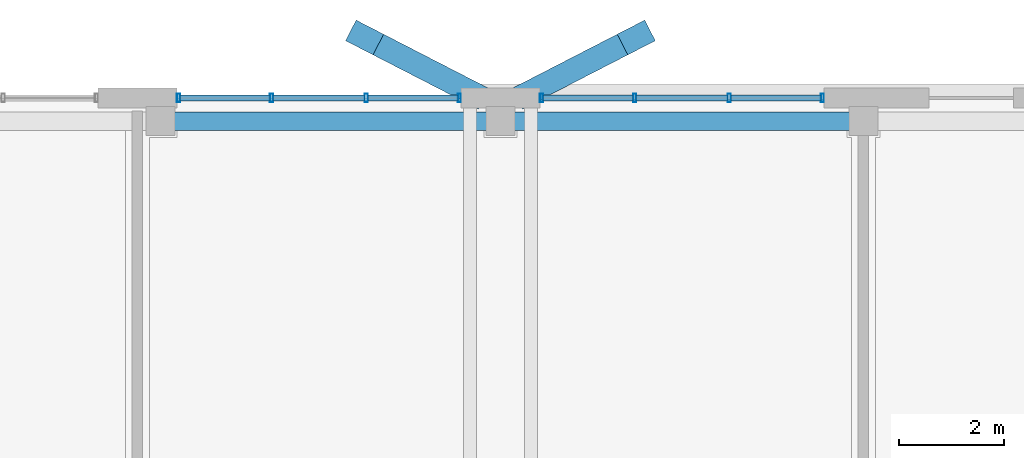
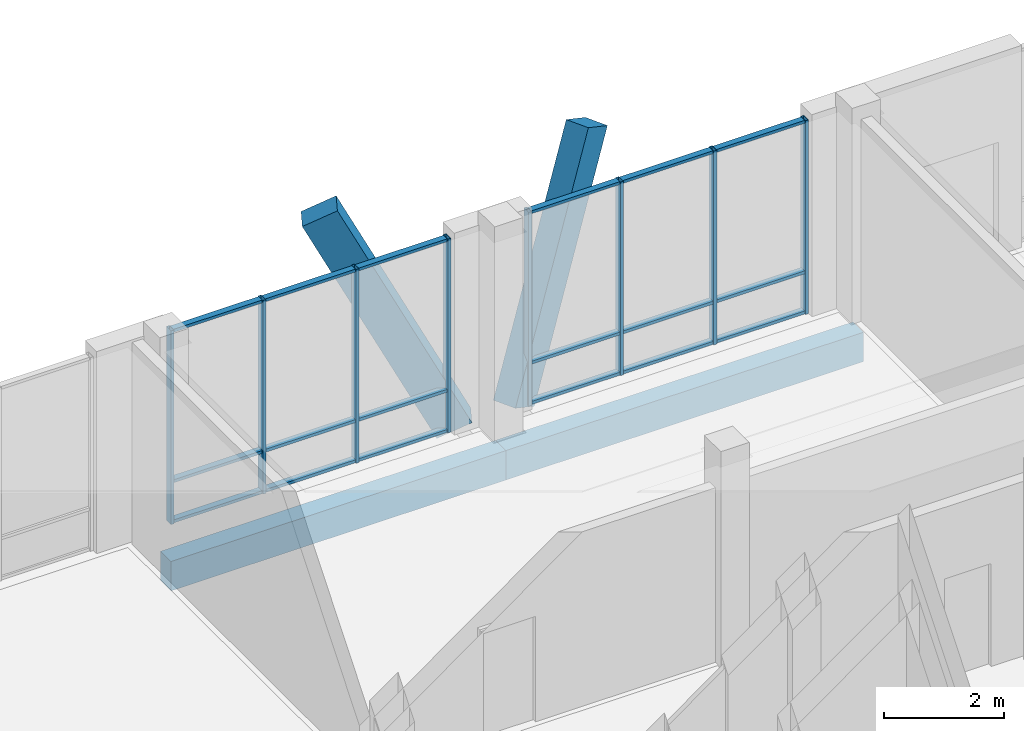
# One storey, part 168 of 233: 28 members, 2 beams, 2 elements without a shape of their own.
"""IFC4 building model written with IfcOpenShell, lengths in metres."""

from ifc_helpers import new_model, si_unit, direction, frame, origin, origin_2d, place, context, subcontext, project, spatial, rectangle, hollow_rectangle, extrude, material, material_profile, profile_set, type_object, element, aggregate, save


model = new_model("IFC4")

# Units and contexts
model_context = context("Model", 3, precision=1e-05, world=origin(), true_north=direction((0.0, 1.0)))
body_context = subcontext(model_context, "Body", "Model", "MODEL_VIEW")
ifc_project = project(units=[si_unit("LENGTHUNIT", "METRE"), si_unit("AREAUNIT", "SQUARE_METRE"), si_unit("VOLUMEUNIT", "CUBIC_METRE"), si_unit("PLANEANGLEUNIT", "RADIAN"), si_unit("MASSUNIT", "GRAM", prefix="KILO")], contexts=[model_context])

# Site, building, storey
site_placement = place(None, origin())
site = spatial("IfcSite", under=ifc_project, at=site_placement, CompositionType="ELEMENT")
building_placement = place(site_placement, origin())
building = spatial("IfcBuilding", under=site, at=building_placement, Name="Zavelmont Quarter", CompositionType="ELEMENT")
storey_placement = place(building_placement, origin())
storey = spatial("IfcBuildingStorey", under=building, at=storey_placement, Name="L00", CompositionType="ELEMENT", Elevation=0.0)

# Beams
ifc_material_1 = material(Name="Concrete C35/45", Category="concrete")
ifc_material_profile_1 = material_profile(ifc_material_1, rectangle(XDim=0.35009765625, YDim=0.60009765625, at=origin_2d()), Name="RC350X600")
ifc_profile_set_1 = profile_set([ifc_material_profile_1], Name="Concrete C35/45")
beam_type = type_object("IfcBeamType", Name="BM01", PredefinedType="SPANDREL", material=ifc_profile_set_1)
beam_1_placement = place(storey_placement, frame((127.0400390625, 115.56005859375, -0.6201171875), z_axis=(1.0, 0.0, 0.0), x_axis=(0.0, 1.0, 0.0)))
element("IfcBeam", 1, at=beam_1_placement, inside=storey, type_object=beam_type, Name="L00 beam BM01 19/S to 20/S", PredefinedType="SPANDREL", context=body_context, shape_type="SweptSolid", body=[
    extrude(rectangle(XDim=0.35009765625, YDim=0.60009765625, at=origin_2d()), origin(), (0.0, 0.0, 1.0), 6.4599609375),
])
beam_2_placement = place(storey_placement, frame((133.5, 115.56005859375, -0.6201171875), z_axis=(1.0, 0.0, 0.0), x_axis=(0.0, 1.0, 0.0)))
element("IfcBeam", 2, at=beam_2_placement, inside=storey, type_object=beam_type, Name="L00 beam BM01 20/S to 21/S", PredefinedType="SPANDREL", context=body_context, shape_type="SweptSolid", body=[
    extrude(rectangle(XDim=0.35009765625, YDim=0.60009765625, at=origin_2d()), origin(), (0.0, 0.0, 1.0), 6.89990234375),
])

# Curtain wall, members
ifc_material_2 = material(Name="Thermally broken aluminium and double low-E safety glazing", Category="aluminium")
curtain_wall_type = type_object("IfcCurtainWallType", Name="CW-540X395", PredefinedType="NOTDEFINED", material=ifc_material_2)
curtain_wall_1_placement = place(storey_placement, origin())
curtain_wall_1 = element("IfcCurtainWall", 3, at=curtain_wall_1_placement, inside=storey, type_object=curtain_wall_type, Name="L00 unitised curtain wall CW-540X395", PredefinedType="NOTDEFINED")
ifc_material_3 = material(Name="Powder-coated aluminium EN AW-6063-T6", Category="aluminium")
ifc_material_profile_2 = material_profile(ifc_material_3, hollow_rectangle(XDim=0.06005859375, YDim=0.159912109375, WallThickness=0.00390625, at=origin_2d()), Name="CWM60X160")
ifc_profile_set_2 = profile_set([ifc_material_profile_2], Name="Powder-coated aluminium EN AW-6063-T6")
member_type_1 = type_object("IfcMemberType", Name="CWM01", PredefinedType="MULLION", material=ifc_profile_set_2)
member_1_placement = place(storey_placement, frame((127.3798828125, 116.0, 0.0), z_axis=(0.0, 0.0, 1.0), x_axis=(1.0, 0.0, 0.0)))
member_1 = element("IfcMember", 4, at=member_1_placement, type_object=member_type_1, Name="CW-540X395 mullion 1", PredefinedType="MULLION", context=body_context, shape_type="SweptSolid", body=[
    extrude(hollow_rectangle(XDim=0.06005859375, YDim=0.159912109375, WallThickness=0.00390625, at=origin_2d()), origin(), (0.0, 0.0, 1.0), 3.949951171875),
])
member_2_placement = place(storey_placement, frame((129.14990234375, 116.0, 0.0), z_axis=(0.0, 0.0, 1.0), x_axis=(1.0, 0.0, 0.0)))
member_2 = element("IfcMember", 5, at=member_2_placement, type_object=member_type_1, Name="CW-540X395 mullion 2", PredefinedType="MULLION", context=body_context, shape_type="SweptSolid", body=[
    extrude(hollow_rectangle(XDim=0.06005859375, YDim=0.159912109375, WallThickness=0.00390625, at=origin_2d()), origin(), (0.0, 0.0, 1.0), 3.949951171875),
])
member_3_placement = place(storey_placement, frame((130.949951171875, 116.0, 0.0), z_axis=(0.0, 0.0, 1.0), x_axis=(1.0, 0.0, 0.0)))
member_3 = element("IfcMember", 6, at=member_3_placement, type_object=member_type_1, Name="CW-540X395 mullion 3", PredefinedType="MULLION", context=body_context, shape_type="SweptSolid", body=[
    extrude(hollow_rectangle(XDim=0.06005859375, YDim=0.159912109375, WallThickness=0.00390625, at=origin_2d()), origin(), (0.0, 0.0, 1.0), 3.949951171875),
])
member_4_placement = place(storey_placement, frame((132.719970703125, 116.0, 0.0), z_axis=(0.0, 0.0, 1.0), x_axis=(1.0, 0.0, 0.0)))
member_4 = element("IfcMember", 7, at=member_4_placement, type_object=member_type_1, Name="CW-540X395 mullion 4", PredefinedType="MULLION", context=body_context, shape_type="SweptSolid", body=[
    extrude(hollow_rectangle(XDim=0.06005859375, YDim=0.159912109375, WallThickness=0.00390625, at=origin_2d()), origin(), (0.0, 0.0, 1.0), 3.949951171875),
])

curtain_wall_2_placement = place(storey_placement, origin())
curtain_wall_2 = element("IfcCurtainWall", 8, at=curtain_wall_2_placement, inside=storey, type_object=curtain_wall_type, Name="L00 unitised curtain wall CW-540X395", PredefinedType="NOTDEFINED")
member_5_placement = place(storey_placement, frame((134.280029296875, 116.0, 0.0), z_axis=(0.0, 0.0, 1.0), x_axis=(1.0, 0.0, 0.0)))
member_5 = element("IfcMember", 9, at=member_5_placement, type_object=member_type_1, Name="CW-540X395 mullion 1", PredefinedType="MULLION", context=body_context, shape_type="SweptSolid", body=[
    extrude(hollow_rectangle(XDim=0.06005859375, YDim=0.159912109375, WallThickness=0.00390625, at=origin_2d()), origin(), (0.0, 0.0, 1.0), 3.949951171875),
])
member_6_placement = place(storey_placement, frame((136.050048828125, 116.0, 0.0), z_axis=(0.0, 0.0, 1.0), x_axis=(1.0, 0.0, 0.0)))
member_6 = element("IfcMember", 10, at=member_6_placement, type_object=member_type_1, Name="CW-540X395 mullion 2", PredefinedType="MULLION", context=body_context, shape_type="SweptSolid", body=[
    extrude(hollow_rectangle(XDim=0.06005859375, YDim=0.159912109375, WallThickness=0.00390625, at=origin_2d()), origin(), (0.0, 0.0, 1.0), 3.949951171875),
])
member_7_placement = place(storey_placement, frame((137.85009765625, 116.0, 0.0), z_axis=(0.0, 0.0, 1.0), x_axis=(1.0, 0.0, 0.0)))
member_7 = element("IfcMember", 11, at=member_7_placement, type_object=member_type_1, Name="CW-540X395 mullion 3", PredefinedType="MULLION", context=body_context, shape_type="SweptSolid", body=[
    extrude(hollow_rectangle(XDim=0.06005859375, YDim=0.159912109375, WallThickness=0.00390625, at=origin_2d()), origin(), (0.0, 0.0, 1.0), 3.949951171875),
])
member_8_placement = place(storey_placement, frame((139.6201171875, 116.0, 0.0), z_axis=(0.0, 0.0, 1.0), x_axis=(1.0, 0.0, 0.0)))
member_8 = element("IfcMember", 12, at=member_8_placement, type_object=member_type_1, Name="CW-540X395 mullion 4", PredefinedType="MULLION", context=body_context, shape_type="SweptSolid", body=[
    extrude(hollow_rectangle(XDim=0.06005859375, YDim=0.159912109375, WallThickness=0.00390625, at=origin_2d()), origin(), (0.0, 0.0, 1.0), 3.949951171875),
])

# Member
ifc_material_profile_3 = material_profile(ifc_material_3, hollow_rectangle(XDim=0.1201171875, YDim=0.06005859375, WallThickness=0.00390625, at=origin_2d()), Name="CWT60X120")
ifc_profile_set_3 = profile_set([ifc_material_profile_3], Name="Powder-coated aluminium EN AW-6063-T6")
member_type_2 = type_object("IfcMemberType", Name="CWT01", PredefinedType="NOTDEFINED", material=ifc_profile_set_3)
member_9_placement = place(storey_placement, frame((127.409912109375, 116.0, 0.030029296875), z_axis=(1.0, 0.0, 0.0), x_axis=(0.0, 1.0, 0.0)))
member_9 = element("IfcMember", 13, at=member_9_placement, type_object=member_type_2, Name="CW-540X395 transom 1.1", ObjectType="TRANSOM", PredefinedType="USERDEFINED", context=body_context, shape_type="SweptSolid", body=[
    extrude(hollow_rectangle(XDim=0.1201171875, YDim=0.06005859375, WallThickness=0.00390625, at=origin_2d()), origin(), (0.0, 0.0, 1.0), 1.710205078125),
])

member_10_placement = place(storey_placement, frame((127.409912109375, 116.0, 0.85009765625), z_axis=(1.0, 0.0, 0.0), x_axis=(0.0, 1.0, 0.0)))
member_10 = element("IfcMember", 14, at=member_10_placement, type_object=member_type_2, Name="CW-540X395 transom 1.2", ObjectType="TRANSOM", PredefinedType="USERDEFINED", context=body_context, shape_type="SweptSolid", body=[
    extrude(hollow_rectangle(XDim=0.1201171875, YDim=0.06005859375, WallThickness=0.00390625, at=origin_2d()), origin(), (0.0, 0.0, 1.0), 1.710205078125),
])

member_11_placement = place(storey_placement, frame((127.409912109375, 116.0, 3.919921875), z_axis=(1.0, 0.0, 0.0), x_axis=(0.0, 1.0, 0.0)))
member_11 = element("IfcMember", 15, at=member_11_placement, type_object=member_type_2, Name="CW-540X395 transom 1.3", ObjectType="TRANSOM", PredefinedType="USERDEFINED", context=body_context, shape_type="SweptSolid", body=[
    extrude(hollow_rectangle(XDim=0.1201171875, YDim=0.06005859375, WallThickness=0.00390625, at=origin_2d()), origin(), (0.0, 0.0, 1.0), 1.710205078125),
])

member_12_placement = place(storey_placement, frame((129.179931640625, 116.0, 0.030029296875), z_axis=(1.0, 0.0, 0.0), x_axis=(0.0, 1.0, 0.0)))
member_12 = element("IfcMember", 16, at=member_12_placement, type_object=member_type_2, Name="CW-540X395 transom 2.1", ObjectType="TRANSOM", PredefinedType="USERDEFINED", context=body_context, shape_type="SweptSolid", body=[
    extrude(hollow_rectangle(XDim=0.1201171875, YDim=0.06005859375, WallThickness=0.00390625, at=origin_2d()), origin(), (0.0, 0.0, 1.0), 1.739990234375),
])

member_13_placement = place(storey_placement, frame((129.179931640625, 116.0, 0.85009765625), z_axis=(1.0, 0.0, 0.0), x_axis=(0.0, 1.0, 0.0)))
member_13 = element("IfcMember", 17, at=member_13_placement, type_object=member_type_2, Name="CW-540X395 transom 2.2", ObjectType="TRANSOM", PredefinedType="USERDEFINED", context=body_context, shape_type="SweptSolid", body=[
    extrude(hollow_rectangle(XDim=0.1201171875, YDim=0.06005859375, WallThickness=0.00390625, at=origin_2d()), origin(), (0.0, 0.0, 1.0), 1.739990234375),
])

member_14_placement = place(storey_placement, frame((129.179931640625, 116.0, 3.919921875), z_axis=(1.0, 0.0, 0.0), x_axis=(0.0, 1.0, 0.0)))
member_14 = element("IfcMember", 18, at=member_14_placement, type_object=member_type_2, Name="CW-540X395 transom 2.3", ObjectType="TRANSOM", PredefinedType="USERDEFINED", context=body_context, shape_type="SweptSolid", body=[
    extrude(hollow_rectangle(XDim=0.1201171875, YDim=0.06005859375, WallThickness=0.00390625, at=origin_2d()), origin(), (0.0, 0.0, 1.0), 1.739990234375),
])

member_15_placement = place(storey_placement, frame((130.97998046875, 116.0, 0.030029296875), z_axis=(1.0, 0.0, 0.0), x_axis=(0.0, 1.0, 0.0)))
member_15 = element("IfcMember", 19, at=member_15_placement, type_object=member_type_2, Name="CW-540X395 transom 3.1", ObjectType="TRANSOM", PredefinedType="USERDEFINED", context=body_context, shape_type="SweptSolid", body=[
    extrude(hollow_rectangle(XDim=0.1201171875, YDim=0.06005859375, WallThickness=0.00390625, at=origin_2d()), origin(), (0.0, 0.0, 1.0), 1.7099609375),
])

member_16_placement = place(storey_placement, frame((130.97998046875, 116.0, 0.85009765625), z_axis=(1.0, 0.0, 0.0), x_axis=(0.0, 1.0, 0.0)))
member_16 = element("IfcMember", 20, at=member_16_placement, type_object=member_type_2, Name="CW-540X395 transom 3.2", ObjectType="TRANSOM", PredefinedType="USERDEFINED", context=body_context, shape_type="SweptSolid", body=[
    extrude(hollow_rectangle(XDim=0.1201171875, YDim=0.06005859375, WallThickness=0.00390625, at=origin_2d()), origin(), (0.0, 0.0, 1.0), 1.7099609375),
])

member_17_placement = place(storey_placement, frame((130.97998046875, 116.0, 3.919921875), z_axis=(1.0, 0.0, 0.0), x_axis=(0.0, 1.0, 0.0)))
member_17 = element("IfcMember", 21, at=member_17_placement, type_object=member_type_2, Name="CW-540X395 transom 3.3", ObjectType="TRANSOM", PredefinedType="USERDEFINED", context=body_context, shape_type="SweptSolid", body=[
    extrude(hollow_rectangle(XDim=0.1201171875, YDim=0.06005859375, WallThickness=0.00390625, at=origin_2d()), origin(), (0.0, 0.0, 1.0), 1.7099609375),
])

aggregate(curtain_wall_1, [member_1, member_2, member_3, member_4, member_9, member_10, member_11, member_12, member_13, member_14, member_15, member_16, member_17])

member_18_placement = place(storey_placement, frame((134.31005859375, 116.0, 0.030029296875), z_axis=(1.0, 0.0, 0.0), x_axis=(0.0, 1.0, 0.0)))
member_18 = element("IfcMember", 22, at=member_18_placement, type_object=member_type_2, Name="CW-540X395 transom 1.1", ObjectType="TRANSOM", PredefinedType="USERDEFINED", context=body_context, shape_type="SweptSolid", body=[
    extrude(hollow_rectangle(XDim=0.1201171875, YDim=0.06005859375, WallThickness=0.00390625, at=origin_2d()), origin(), (0.0, 0.0, 1.0), 1.7099609375),
])

member_19_placement = place(storey_placement, frame((134.31005859375, 116.0, 0.85009765625), z_axis=(1.0, 0.0, 0.0), x_axis=(0.0, 1.0, 0.0)))
member_19 = element("IfcMember", 23, at=member_19_placement, type_object=member_type_2, Name="CW-540X395 transom 1.2", ObjectType="TRANSOM", PredefinedType="USERDEFINED", context=body_context, shape_type="SweptSolid", body=[
    extrude(hollow_rectangle(XDim=0.1201171875, YDim=0.06005859375, WallThickness=0.00390625, at=origin_2d()), origin(), (0.0, 0.0, 1.0), 1.7099609375),
])

member_20_placement = place(storey_placement, frame((134.31005859375, 116.0, 3.919921875), z_axis=(1.0, 0.0, 0.0), x_axis=(0.0, 1.0, 0.0)))
member_20 = element("IfcMember", 24, at=member_20_placement, type_object=member_type_2, Name="CW-540X395 transom 1.3", ObjectType="TRANSOM", PredefinedType="USERDEFINED", context=body_context, shape_type="SweptSolid", body=[
    extrude(hollow_rectangle(XDim=0.1201171875, YDim=0.06005859375, WallThickness=0.00390625, at=origin_2d()), origin(), (0.0, 0.0, 1.0), 1.7099609375),
])

member_21_placement = place(storey_placement, frame((136.080078125, 116.0, 0.030029296875), z_axis=(1.0, 0.0, 0.0), x_axis=(0.0, 1.0, 0.0)))
member_21 = element("IfcMember", 25, at=member_21_placement, type_object=member_type_2, Name="CW-540X395 transom 2.1", ObjectType="TRANSOM", PredefinedType="USERDEFINED", context=body_context, shape_type="SweptSolid", body=[
    extrude(hollow_rectangle(XDim=0.1201171875, YDim=0.06005859375, WallThickness=0.00390625, at=origin_2d()), origin(), (0.0, 0.0, 1.0), 1.739990234375),
])

member_22_placement = place(storey_placement, frame((136.080078125, 116.0, 0.85009765625), z_axis=(1.0, 0.0, 0.0), x_axis=(0.0, 1.0, 0.0)))
member_22 = element("IfcMember", 26, at=member_22_placement, type_object=member_type_2, Name="CW-540X395 transom 2.2", ObjectType="TRANSOM", PredefinedType="USERDEFINED", context=body_context, shape_type="SweptSolid", body=[
    extrude(hollow_rectangle(XDim=0.1201171875, YDim=0.06005859375, WallThickness=0.00390625, at=origin_2d()), origin(), (0.0, 0.0, 1.0), 1.739990234375),
])

member_23_placement = place(storey_placement, frame((136.080078125, 116.0, 3.919921875), z_axis=(1.0, 0.0, 0.0), x_axis=(0.0, 1.0, 0.0)))
member_23 = element("IfcMember", 27, at=member_23_placement, type_object=member_type_2, Name="CW-540X395 transom 2.3", ObjectType="TRANSOM", PredefinedType="USERDEFINED", context=body_context, shape_type="SweptSolid", body=[
    extrude(hollow_rectangle(XDim=0.1201171875, YDim=0.06005859375, WallThickness=0.00390625, at=origin_2d()), origin(), (0.0, 0.0, 1.0), 1.739990234375),
])

member_24_placement = place(storey_placement, frame((137.8798828125, 116.0, 0.030029296875), z_axis=(1.0, 0.0, 0.0), x_axis=(0.0, 1.0, 0.0)))
member_24 = element("IfcMember", 28, at=member_24_placement, type_object=member_type_2, Name="CW-540X395 transom 3.1", ObjectType="TRANSOM", PredefinedType="USERDEFINED", context=body_context, shape_type="SweptSolid", body=[
    extrude(hollow_rectangle(XDim=0.1201171875, YDim=0.06005859375, WallThickness=0.00390625, at=origin_2d()), origin(), (0.0, 0.0, 1.0), 1.710205078125),
])

member_25_placement = place(storey_placement, frame((137.8798828125, 116.0, 0.85009765625), z_axis=(1.0, 0.0, 0.0), x_axis=(0.0, 1.0, 0.0)))
member_25 = element("IfcMember", 29, at=member_25_placement, type_object=member_type_2, Name="CW-540X395 transom 3.2", ObjectType="TRANSOM", PredefinedType="USERDEFINED", context=body_context, shape_type="SweptSolid", body=[
    extrude(hollow_rectangle(XDim=0.1201171875, YDim=0.06005859375, WallThickness=0.00390625, at=origin_2d()), origin(), (0.0, 0.0, 1.0), 1.710205078125),
])

member_26_placement = place(storey_placement, frame((137.8798828125, 116.0, 3.919921875), z_axis=(1.0, 0.0, 0.0), x_axis=(0.0, 1.0, 0.0)))
member_26 = element("IfcMember", 30, at=member_26_placement, type_object=member_type_2, Name="CW-540X395 transom 3.3", ObjectType="TRANSOM", PredefinedType="USERDEFINED", context=body_context, shape_type="SweptSolid", body=[
    extrude(hollow_rectangle(XDim=0.1201171875, YDim=0.06005859375, WallThickness=0.00390625, at=origin_2d()), origin(), (0.0, 0.0, 1.0), 1.710205078125),
])

aggregate(curtain_wall_2, [member_5, member_6, member_7, member_8, member_18, member_19, member_20, member_21, member_22, member_23, member_24, member_25, member_26])

# Members
ifc_material_4 = material(Name="White architectural precast concrete C40/50", Category="concrete")
ifc_material_profile_4 = material_profile(ifc_material_4, rectangle(XDim=0.43994140625, YDim=0.659912109375, at=origin_2d()), Name="PCR320X480")
ifc_profile_set_4 = profile_set([ifc_material_profile_4], Name="White architectural precast concrete C40/50")
member_type_3 = type_object("IfcMemberType", Name="VR01M", PredefinedType="CHORD", material=ifc_profile_set_4)
for number, where, z_axis, x_axis, name in (
    (31, (132.919921875, 116.1201171875, 0.0), (-0.405056078871, 0.208356895205, 0.890234226027), (-0.457421521308, -0.889249994008, 0.0), "L00 member VR01M 20/S to 20/S"),
    (32, (134.080078125, 116.1201171875, 0.0), (0.405056078871, 0.208356895205, 0.890234226027), (-0.457421521308, 0.889249994008, 0.0), "L00 member VR01M 20/S to 20/S"),
):
    element("IfcMember", number, at=place(storey_placement, frame(where, z_axis=z_axis, x_axis=x_axis)), inside=storey, type_object=member_type_3, Name=name, PredefinedType="CHORD", context=body_context, shape_type="SweptSolid", body=[
        extrude(rectangle(XDim=0.43994140625, YDim=0.659912109375, at=origin_2d()), origin(), (0.0, 0.0, 1.0), 4.9423828125),
    ])

save(model, "model.ifc")
